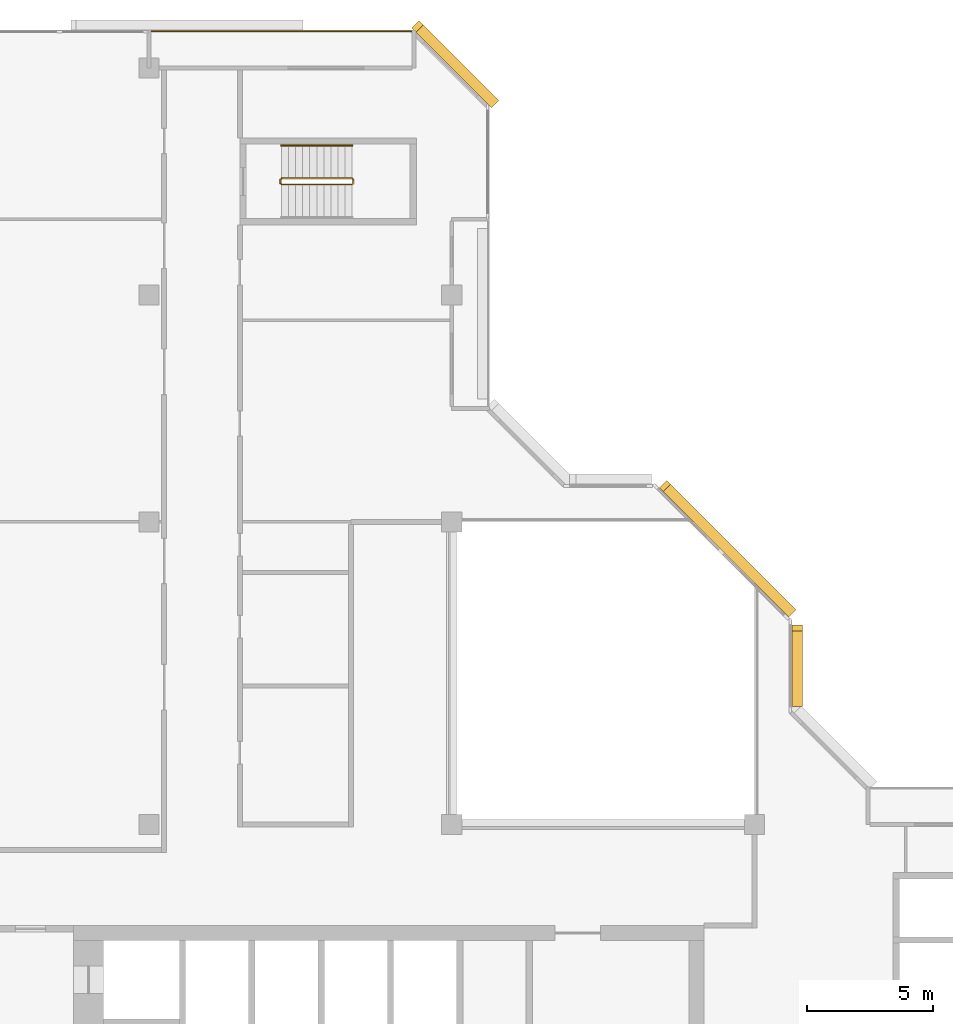
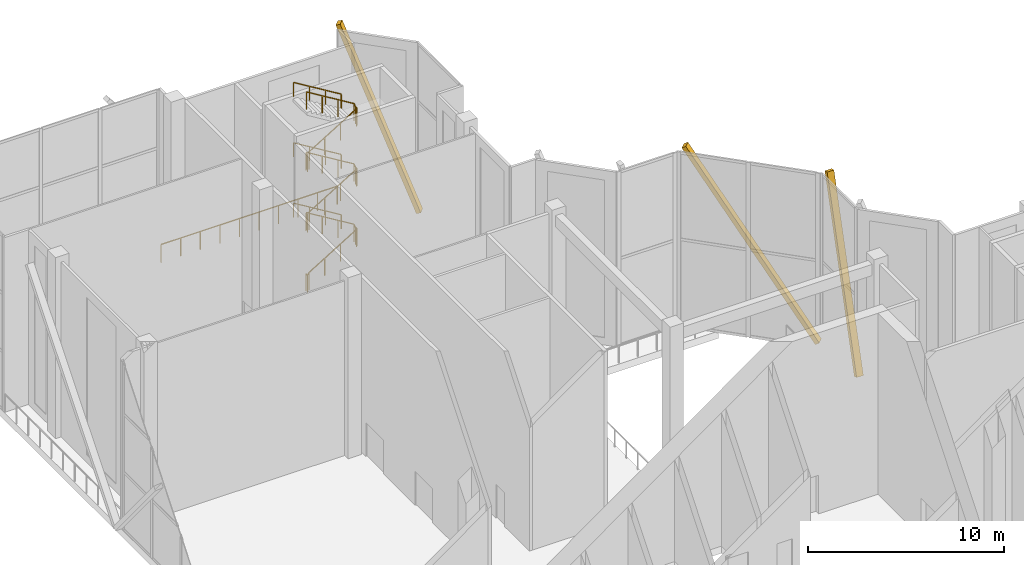
# One storey, part 16 of 16: 5 railings, 3 coverings.
"""IFC4 building model written with IfcOpenShell, lengths in metres."""

from ifc_helpers import new_model, si_unit, direction, frame, origin, origin_2d, place, context, subcontext, project, spatial, rectangle, extrude, material, material_profile, profile_set, type_object, element, save


model = new_model("IFC4")

# Units and contexts
model_context = context("Model", 3, precision=1e-05, world=origin(), true_north=direction((0.0, 1.0)))
body_context = subcontext(model_context, "Body", "Model", "MODEL_VIEW")
ifc_project = project(units=[si_unit("LENGTHUNIT", "METRE"), si_unit("AREAUNIT", "SQUARE_METRE"), si_unit("VOLUMEUNIT", "CUBIC_METRE"), si_unit("PLANEANGLEUNIT", "RADIAN"), si_unit("MASSUNIT", "GRAM", prefix="KILO")], contexts=[model_context])

# Site, building, storey
site_placement = place(None, origin())
site = spatial("IfcSite", under=ifc_project, at=site_placement, CompositionType="ELEMENT")
building_placement = place(site_placement, origin())
building = spatial("IfcBuilding", under=site, at=building_placement, Name="Chenar Terraces", CompositionType="ELEMENT")
storey_placement = place(building_placement, frame((0.0, 0.0, 327.64990234375)))
storey = spatial("IfcBuildingStorey", under=building, at=storey_placement, Name="L77", CompositionType="ELEMENT", Elevation=327.64990234375)

# Railings
ifc_material_1 = material(Name="Stainless steel and glass", Category="steel")
railing_type_1 = type_object("IfcRailingType", Name="Loggia guard 1150", PredefinedType="GUARDRAIL", material=ifc_material_1)
railing_1_placement = place(storey_placement, frame((22.425048828125, 55.449951171875, 0.0)))
element("IfcRailing", 1, at=railing_1_placement, inside=storey, type_object=railing_type_1, Name="Loggia guard", PredefinedType="GUARDRAIL", context=body_context, shape_type="SweptSolid", body=[
    extrude(rectangle(XDim=0.048095703125, YDim=0.048095703125, at=origin_2d()), frame((0.0, 0.0, 1.1259765625), z_axis=(-1.0, 0.0, 0.0), x_axis=(0.0, -1.0, 0.0)), (0.0, 0.0, 1.0), 10.35009765625),
    extrude(rectangle(XDim=0.0419921875, YDim=0.0419921875, at=origin_2d()), origin(), (0.0, 0.0, 1.0), 1.101806640625),
    extrude(rectangle(XDim=0.0419921875, YDim=0.0419921875, at=origin_2d()), frame((-1.14990234375, 0.0, 0.0)), (0.0, 0.0, 1.0), 1.101806640625),
    extrude(rectangle(XDim=0.0419921875, YDim=0.0419921875, at=origin_2d()), frame((-2.300048828125, 0.0, 0.0)), (0.0, 0.0, 1.0), 1.101806640625),
    extrude(rectangle(XDim=0.0419921875, YDim=0.0419921875, at=origin_2d()), frame((-3.449951171875, 0.0, 0.0)), (0.0, 0.0, 1.0), 1.101806640625),
    extrude(rectangle(XDim=0.0419921875, YDim=0.0419921875, at=origin_2d()), frame((-4.60009765625, 0.0, 0.0)), (0.0, 0.0, 1.0), 1.101806640625),
    extrude(rectangle(XDim=0.0419921875, YDim=0.0419921875, at=origin_2d()), frame((-5.75, 0.0, 0.0)), (0.0, 0.0, 1.0), 1.101806640625),
    extrude(rectangle(XDim=0.0419921875, YDim=0.0419921875, at=origin_2d()), frame((-6.900146484375, 0.0, 0.0)), (0.0, 0.0, 1.0), 1.101806640625),
    extrude(rectangle(XDim=0.0419921875, YDim=0.0419921875, at=origin_2d()), frame((-8.050048828125, 0.0, 0.0)), (0.0, 0.0, 1.0), 1.101806640625),
    extrude(rectangle(XDim=0.0419921875, YDim=0.0419921875, at=origin_2d()), frame((-9.2001953125, 0.0, 0.0)), (0.0, 0.0, 1.0), 1.101806640625),
    extrude(rectangle(XDim=0.0419921875, YDim=0.0419921875, at=origin_2d()), frame((-10.35009765625, 0.0, 0.0)), (0.0, 0.0, 1.0), 1.101806640625),
])
ifc_material_2 = material(Name="Powder-coated steel", Category="steel")
railing_type_2 = type_object("IfcRailingType", Name="Stair guard 1100", PredefinedType="GUARDRAIL", material=ifc_material_2)
railing_2_placement = place(storey_placement, frame((17.25, 49.625, 11.25)))
element("IfcRailing", 2, at=railing_2_placement, inside=storey, type_object=railing_type_2, Name="L77 ST4 stair guard 1", PredefinedType="GUARDRAIL", context=body_context, shape_type="SweptSolid", body=[
    extrude(rectangle(XDim=0.048095703125, YDim=0.048095703125, at=origin_2d()), frame((0.0, 0.0, 1.076171875), z_axis=(0.854202870247, 0.0, -0.519939858505), x_axis=(0.0, 1.0, 0.0)), (0.0, 0.0, 1.0), 3.278076171875),
    extrude(rectangle(XDim=0.048095703125, YDim=0.048095703125, at=origin_2d()), frame((2.800048828125, 0.0, -0.62841796875), z_axis=(0.270899902878, -0.270899902878, -0.923702595667), x_axis=(0.707106781187, 0.707106781187, 0.0)), (0.0, 0.0, 1.0), 0.184814453125),
    extrude(rectangle(XDim=0.048095703125, YDim=0.048095703125, at=origin_2d()), frame((2.85009765625, -0.050048828125, -0.798828125), z_axis=(0.0, -1.0, 0.0), x_axis=(1.0, 0.0, 0.0)), (0.0, 0.0, 1.0), 0.14990234375),
    extrude(rectangle(XDim=0.048095703125, YDim=0.048095703125, at=origin_2d()), frame((2.85009765625, -0.199951171875, -0.798828125), z_axis=(-0.707106781187, -0.707106781187, 0.0), x_axis=(0.707106781187, -0.707106781187, 0.0)), (0.0, 0.0, 1.0), 0.07080078125),
    extrude(rectangle(XDim=0.048095703125, YDim=0.048095703125, at=origin_2d()), frame((2.800048828125, -0.25, -0.798828125), z_axis=(-0.854202870247, 0.0, -0.519939858505), x_axis=(0.0, -1.0, 0.0)), (0.0, 0.0, 1.0), 3.278076171875),
    extrude(rectangle(XDim=0.048095703125, YDim=0.048095703125, at=origin_2d()), frame((0.0, -0.25, -2.50341796875), z_axis=(-0.187030483662, 0.747209590826, -0.637728332097), x_axis=(-0.970072785993, -0.242814311512, 0.0)), (0.0, 0.0, 1.0), 0.267578125),
    extrude(rectangle(XDim=0.048095703125, YDim=0.048095703125, at=origin_2d()), frame((-0.050048828125, -0.050048828125, -2.673828125), z_axis=(0.0, -1.0, 0.0), x_axis=(1.0, 0.0, 0.0)), (0.0, 0.0, 1.0), 0.14990234375),
    extrude(rectangle(XDim=0.048095703125, YDim=0.048095703125, at=origin_2d()), frame((-0.050048828125, -0.199951171875, -2.673828125), z_axis=(0.242814311512, 0.970072785993, 0.0), x_axis=(-0.970072785993, 0.242814311512, 0.0)), (0.0, 0.0, 1.0), 0.2060546875),
    extrude(rectangle(XDim=0.048095703125, YDim=0.048095703125, at=origin_2d()), frame((0.0, 0.0, -2.673828125), z_axis=(0.854202870247, 0.0, -0.519939858505), x_axis=(0.0, 1.0, 0.0)), (0.0, 0.0, 1.0), 3.278076171875),
    extrude(rectangle(XDim=0.048095703125, YDim=0.048095703125, at=origin_2d()), frame((2.800048828125, 0.0, -4.37841796875), z_axis=(0.270899902878, -0.270899902878, -0.923702595667), x_axis=(0.707106781187, 0.707106781187, 0.0)), (0.0, 0.0, 1.0), 0.184814453125),
    extrude(rectangle(XDim=0.048095703125, YDim=0.048095703125, at=origin_2d()), frame((2.85009765625, -0.050048828125, -4.548828125), z_axis=(0.0, -1.0, 0.0), x_axis=(1.0, 0.0, 0.0)), (0.0, 0.0, 1.0), 0.14990234375),
    extrude(rectangle(XDim=0.048095703125, YDim=0.048095703125, at=origin_2d()), frame((2.85009765625, -0.199951171875, -4.548828125), z_axis=(-0.707106781187, -0.707106781187, 0.0), x_axis=(0.707106781187, -0.707106781187, 0.0)), (0.0, 0.0, 1.0), 0.07080078125),
    extrude(rectangle(XDim=0.048095703125, YDim=0.048095703125, at=origin_2d()), frame((2.800048828125, -0.25, -4.548828125), z_axis=(-0.854202870247, 0.0, -0.519939858505), x_axis=(0.0, -1.0, 0.0)), (0.0, 0.0, 1.0), 3.278076171875),
    extrude(rectangle(XDim=0.048095703125, YDim=0.048095703125, at=origin_2d()), frame((0.0, -0.25, -6.25341796875), z_axis=(-0.187030483662, 0.747209590826, -0.637728332097), x_axis=(-0.970072785993, -0.242814311512, 0.0)), (0.0, 0.0, 1.0), 0.267578125),
    extrude(rectangle(XDim=0.048095703125, YDim=0.048095703125, at=origin_2d()), frame((-0.050048828125, -0.050048828125, -6.423828125), z_axis=(0.0, -1.0, 0.0), x_axis=(1.0, 0.0, 0.0)), (0.0, 0.0, 1.0), 0.14990234375),
    extrude(rectangle(XDim=0.048095703125, YDim=0.048095703125, at=origin_2d()), frame((-0.050048828125, -0.199951171875, -6.423828125), z_axis=(0.242814311512, 0.970072785993, 0.0), x_axis=(-0.970072785993, 0.242814311512, 0.0)), (0.0, 0.0, 1.0), 0.2060546875),
    extrude(rectangle(XDim=0.048095703125, YDim=0.048095703125, at=origin_2d()), frame((0.0, 0.0, -6.423828125), z_axis=(0.854202870247, 0.0, -0.519939858505), x_axis=(0.0, 1.0, 0.0)), (0.0, 0.0, 1.0), 3.278076171875),
    extrude(rectangle(XDim=0.048095703125, YDim=0.048095703125, at=origin_2d()), frame((2.800048828125, 0.0, -8.12841796875), z_axis=(0.270899902878, -0.270899902878, -0.923702595667), x_axis=(0.707106781187, 0.707106781187, 0.0)), (0.0, 0.0, 1.0), 0.184814453125),
    extrude(rectangle(XDim=0.048095703125, YDim=0.048095703125, at=origin_2d()), frame((2.85009765625, -0.050048828125, -8.298828125), z_axis=(0.0, -1.0, 0.0), x_axis=(1.0, 0.0, 0.0)), (0.0, 0.0, 1.0), 0.14990234375),
    extrude(rectangle(XDim=0.048095703125, YDim=0.048095703125, at=origin_2d()), frame((2.85009765625, -0.199951171875, -8.298828125), z_axis=(-0.707106781187, -0.707106781187, 0.0), x_axis=(0.707106781187, -0.707106781187, 0.0)), (0.0, 0.0, 1.0), 0.07080078125),
    extrude(rectangle(XDim=0.048095703125, YDim=0.048095703125, at=origin_2d()), frame((2.800048828125, -0.25, -8.298828125), z_axis=(-0.854202870247, 0.0, -0.519939858505), x_axis=(0.0, -1.0, 0.0)), (0.0, 0.0, 1.0), 3.278076171875),
    extrude(rectangle(XDim=0.048095703125, YDim=0.048095703125, at=origin_2d()), frame((0.0, -0.25, -10.00341796875), z_axis=(-0.270899902878, 0.270899902878, -0.923702595667), x_axis=(-0.707106781187, -0.707106781187, 0.0)), (0.0, 0.0, 1.0), 0.184814453125),
    extrude(rectangle(XDim=0.048095703125, YDim=0.048095703125, at=origin_2d()), frame((-0.050048828125, -0.199951171875, -10.173828125), z_axis=(0.0, 1.0, 0.0), x_axis=(-1.0, 0.0, 0.0)), (0.0, 0.0, 1.0), 0.14990234375),
    extrude(rectangle(XDim=0.0419921875, YDim=0.0419921875, at=origin_2d()), origin(), (0.0, 0.0, 1.0), 1.052001953125),
    extrude(rectangle(XDim=0.0419921875, YDim=0.0419921875, at=origin_2d()), frame((0.933349609375, 0.0, -0.568115234375)), (0.0, 0.0, 1.0), 1.052001953125),
    extrude(rectangle(XDim=0.0419921875, YDim=0.0419921875, at=origin_2d()), frame((1.86669921875, 0.0, -1.13623046875)), (0.0, 0.0, 1.0), 1.052001953125),
    extrude(rectangle(XDim=0.0419921875, YDim=0.0419921875, at=origin_2d()), frame((2.800048828125, 0.0, -1.704345703125)), (0.0, 0.0, 1.0), 1.052001953125),
    extrude(rectangle(XDim=0.0419921875, YDim=0.0419921875, at=origin_2d()), frame((2.85009765625, -0.050048828125, -1.875)), (0.0, 0.0, 1.0), 1.052001953125),
    extrude(rectangle(XDim=0.0419921875, YDim=0.0419921875, at=origin_2d()), frame((2.85009765625, -0.199951171875, -1.875)), (0.0, 0.0, 1.0), 1.052001953125),
    extrude(rectangle(XDim=0.0419921875, YDim=0.0419921875, at=origin_2d()), frame((2.800048828125, -0.25, -1.875)), (0.0, 0.0, 1.0), 1.052001953125),
    extrude(rectangle(XDim=0.0419921875, YDim=0.0419921875, at=origin_2d()), frame((1.86669921875, -0.25, -2.443115234375)), (0.0, 0.0, 1.0), 1.052001953125),
    extrude(rectangle(XDim=0.0419921875, YDim=0.0419921875, at=origin_2d()), frame((0.933349609375, -0.25, -3.01123046875)), (0.0, 0.0, 1.0), 1.052001953125),
    extrude(rectangle(XDim=0.0419921875, YDim=0.0419921875, at=origin_2d()), frame((0.0, -0.25, -3.579345703125)), (0.0, 0.0, 1.0), 1.052001953125),
    extrude(rectangle(XDim=0.0419921875, YDim=0.0419921875, at=origin_2d()), frame((-0.050048828125, -0.050048828125, -3.75)), (0.0, 0.0, 1.0), 1.052001953125),
    extrude(rectangle(XDim=0.0419921875, YDim=0.0419921875, at=origin_2d()), frame((-0.050048828125, -0.199951171875, -3.75)), (0.0, 0.0, 1.0), 1.052001953125),
    extrude(rectangle(XDim=0.0419921875, YDim=0.0419921875, at=origin_2d()), frame((0.0, 0.0, -3.75)), (0.0, 0.0, 1.0), 1.052001953125),
    extrude(rectangle(XDim=0.0419921875, YDim=0.0419921875, at=origin_2d()), frame((0.933349609375, 0.0, -4.318115234375)), (0.0, 0.0, 1.0), 1.052001953125),
    extrude(rectangle(XDim=0.0419921875, YDim=0.0419921875, at=origin_2d()), frame((1.86669921875, 0.0, -4.88623046875)), (0.0, 0.0, 1.0), 1.052001953125),
    extrude(rectangle(XDim=0.0419921875, YDim=0.0419921875, at=origin_2d()), frame((2.800048828125, 0.0, -5.454345703125)), (0.0, 0.0, 1.0), 1.052001953125),
    extrude(rectangle(XDim=0.0419921875, YDim=0.0419921875, at=origin_2d()), frame((2.85009765625, -0.050048828125, -5.625)), (0.0, 0.0, 1.0), 1.052001953125),
    extrude(rectangle(XDim=0.0419921875, YDim=0.0419921875, at=origin_2d()), frame((2.85009765625, -0.199951171875, -5.625)), (0.0, 0.0, 1.0), 1.052001953125),
    extrude(rectangle(XDim=0.0419921875, YDim=0.0419921875, at=origin_2d()), frame((2.800048828125, -0.25, -5.625)), (0.0, 0.0, 1.0), 1.052001953125),
    extrude(rectangle(XDim=0.0419921875, YDim=0.0419921875, at=origin_2d()), frame((1.86669921875, -0.25, -6.193115234375)), (0.0, 0.0, 1.0), 1.052001953125),
    extrude(rectangle(XDim=0.0419921875, YDim=0.0419921875, at=origin_2d()), frame((0.933349609375, -0.25, -6.76123046875)), (0.0, 0.0, 1.0), 1.052001953125),
    extrude(rectangle(XDim=0.0419921875, YDim=0.0419921875, at=origin_2d()), frame((0.0, -0.25, -7.329345703125)), (0.0, 0.0, 1.0), 1.052001953125),
    extrude(rectangle(XDim=0.0419921875, YDim=0.0419921875, at=origin_2d()), frame((-0.050048828125, -0.050048828125, -7.5)), (0.0, 0.0, 1.0), 1.052001953125),
    extrude(rectangle(XDim=0.0419921875, YDim=0.0419921875, at=origin_2d()), frame((-0.050048828125, -0.199951171875, -7.5)), (0.0, 0.0, 1.0), 1.052001953125),
    extrude(rectangle(XDim=0.0419921875, YDim=0.0419921875, at=origin_2d()), frame((0.0, 0.0, -7.5)), (0.0, 0.0, 1.0), 1.052001953125),
    extrude(rectangle(XDim=0.0419921875, YDim=0.0419921875, at=origin_2d()), frame((0.933349609375, 0.0, -8.068115234375)), (0.0, 0.0, 1.0), 1.052001953125),
    extrude(rectangle(XDim=0.0419921875, YDim=0.0419921875, at=origin_2d()), frame((1.86669921875, 0.0, -8.63623046875)), (0.0, 0.0, 1.0), 1.052001953125),
    extrude(rectangle(XDim=0.0419921875, YDim=0.0419921875, at=origin_2d()), frame((2.800048828125, 0.0, -9.204345703125)), (0.0, 0.0, 1.0), 1.052001953125),
    extrude(rectangle(XDim=0.0419921875, YDim=0.0419921875, at=origin_2d()), frame((2.85009765625, -0.050048828125, -9.375)), (0.0, 0.0, 1.0), 1.052001953125),
    extrude(rectangle(XDim=0.0419921875, YDim=0.0419921875, at=origin_2d()), frame((2.85009765625, -0.199951171875, -9.375)), (0.0, 0.0, 1.0), 1.052001953125),
    extrude(rectangle(XDim=0.0419921875, YDim=0.0419921875, at=origin_2d()), frame((2.800048828125, -0.25, -9.375)), (0.0, 0.0, 1.0), 1.052001953125),
    extrude(rectangle(XDim=0.0419921875, YDim=0.0419921875, at=origin_2d()), frame((1.86669921875, -0.25, -9.943115234375)), (0.0, 0.0, 1.0), 1.052001953125),
    extrude(rectangle(XDim=0.0419921875, YDim=0.0419921875, at=origin_2d()), frame((0.933349609375, -0.25, -10.51123046875)), (0.0, 0.0, 1.0), 1.052001953125),
    extrude(rectangle(XDim=0.0419921875, YDim=0.0419921875, at=origin_2d()), frame((0.0, -0.25, -11.079345703125)), (0.0, 0.0, 1.0), 1.052001953125),
    extrude(rectangle(XDim=0.0419921875, YDim=0.0419921875, at=origin_2d()), frame((-0.050048828125, -0.199951171875, -11.25)), (0.0, 0.0, 1.0), 1.052001953125),
    extrude(rectangle(XDim=0.0419921875, YDim=0.0419921875, at=origin_2d()), frame((-0.050048828125, -0.050048828125, -11.25)), (0.0, 0.0, 1.0), 1.052001953125),
])
ifc_material_3 = material(Name="Powder-coated steel", Category="steel")
railing_type_3 = type_object("IfcRailingType", Name="Stair handrail 900", PredefinedType="HANDRAIL", material=ifc_material_3)
for number, where, name in (
    (3, (20.050048828125, 50.925048828125, 2.045654296875), "L77 ST4 stair handrail 2"),
    (4, (20.050048828125, 50.925048828125, 5.795654296875), "L77 ST4 stair handrail 4"),
    (5, (20.050048828125, 50.925048828125, 9.545654296875), "L77 ST4 stair handrail 6"),
):
    element("IfcRailing", number, at=place(storey_placement, frame(where)), inside=storey, type_object=railing_type_3, Name=name, PredefinedType="HANDRAIL", context=body_context, shape_type="SweptSolid", body=[
        extrude(rectangle(XDim=0.048095703125, YDim=0.048095703125, at=origin_2d()), frame((0.0, 0.0, 0.8759765625), z_axis=(-0.854202870247, 0.0, 0.519939858505), x_axis=(0.0, -1.0, 0.0)), (0.0, 0.0, 1.0), 3.278076171875),
        extrude(rectangle(XDim=0.0419921875, YDim=0.0419921875, at=origin_2d()), origin(), (0.0, 0.0, 1.0), 0.851806640625),
        extrude(rectangle(XDim=0.0419921875, YDim=0.0419921875, at=origin_2d()), frame((-0.933349609375, 0.0, 0.568115234375)), (0.0, 0.0, 1.0), 0.851806640625),
        extrude(rectangle(XDim=0.0419921875, YDim=0.0419921875, at=origin_2d()), frame((-1.86669921875, 0.0, 1.13623046875)), (0.0, 0.0, 1.0), 0.851806640625),
        extrude(rectangle(XDim=0.0419921875, YDim=0.0419921875, at=origin_2d()), frame((-2.800048828125, 0.0, 1.704345703125)), (0.0, 0.0, 1.0), 0.851806640625),
    ])

# Coverings
ifc_material_4 = material(Name="Terracotta", Category="masonry")
ifc_material_profile = material_profile(ifc_material_4, rectangle(XDim=0.39990234375, YDim=0.25, at=origin_2d()), Name="Terracotta baguette 400 x 250")
ifc_profile_set = profile_set([ifc_material_profile], Name="Terracotta")
covering_type = type_object("IfcCoveringType", Name="Terracotta baguette 400 x 250", PredefinedType="CLADDING", material=ifc_profile_set)
covering_1_placement = place(storey_placement, frame((37.699951171875, 28.800048828125, 0.150146484375), z_axis=(0.0, 0.26423624309, 0.964457986559), x_axis=(-1.0, 0.0, 0.0)))
element("IfcCovering", 6, at=covering_1_placement, inside=storey, type_object=covering_type, Name="Terracotta baguette", PredefinedType="CLADDING", context=body_context, shape_type="SweptSolid", body=[
    extrude(rectangle(XDim=0.39990234375, YDim=0.25, at=origin_2d()), origin(), (0.0, 0.0, 1.0), 11.353515625),
])
covering_2_placement = place(storey_placement, frame((37.42919921875, 32.45361328125, 0.150146484375), z_axis=(-0.382266316395, 0.38228507333, 0.841267250081), x_axis=(-0.707124128605, -0.707089433343, 0.0)))
element("IfcCovering", 7, at=covering_2_placement, inside=storey, type_object=covering_type, Name="Terracotta baguette", PredefinedType="CLADDING", context=body_context, shape_type="SweptSolid", body=[
    extrude(rectangle(XDim=0.39990234375, YDim=0.25, at=origin_2d()), origin(), (0.0, 0.0, 1.0), 13.01611328125),
])
covering_3_placement = place(storey_placement, frame((25.641357421875, 52.641357421875, 0.150146484375), z_axis=(-0.255468212233, 0.255468212233, 0.932454816641), x_axis=(-0.707106781187, -0.707106781187, 0.0)))
element("IfcCovering", 8, at=covering_3_placement, inside=storey, type_object=covering_type, Name="Terracotta baguette", PredefinedType="CLADDING", context=body_context, shape_type="SweptSolid", body=[
    extrude(rectangle(XDim=0.39990234375, YDim=0.25, at=origin_2d()), origin(), (0.0, 0.0, 1.0), 11.7431640625),
])

save(model, "model.ifc")
